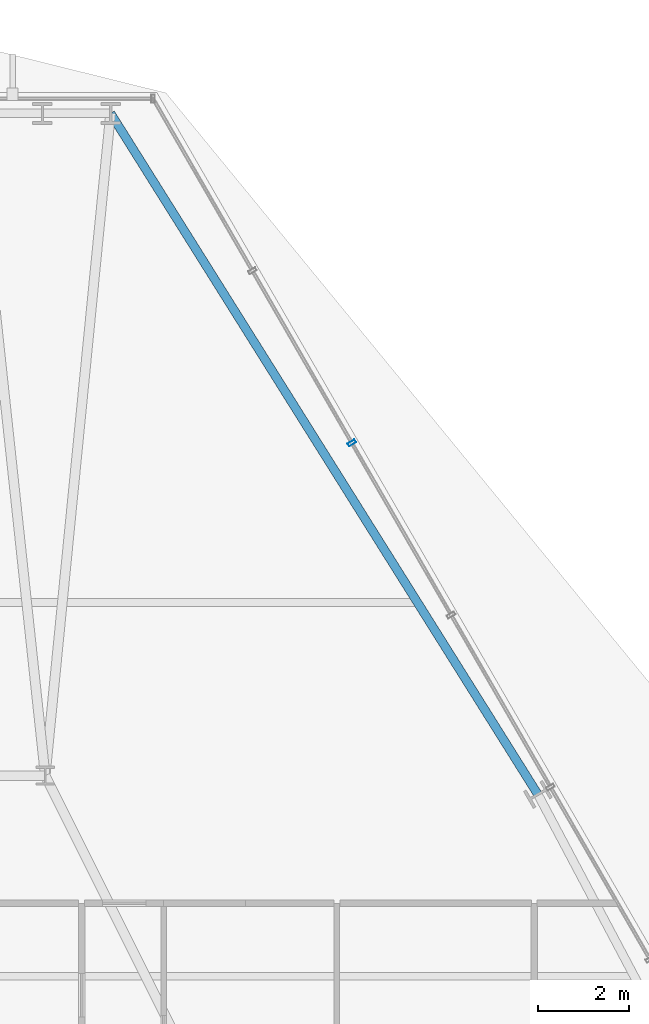
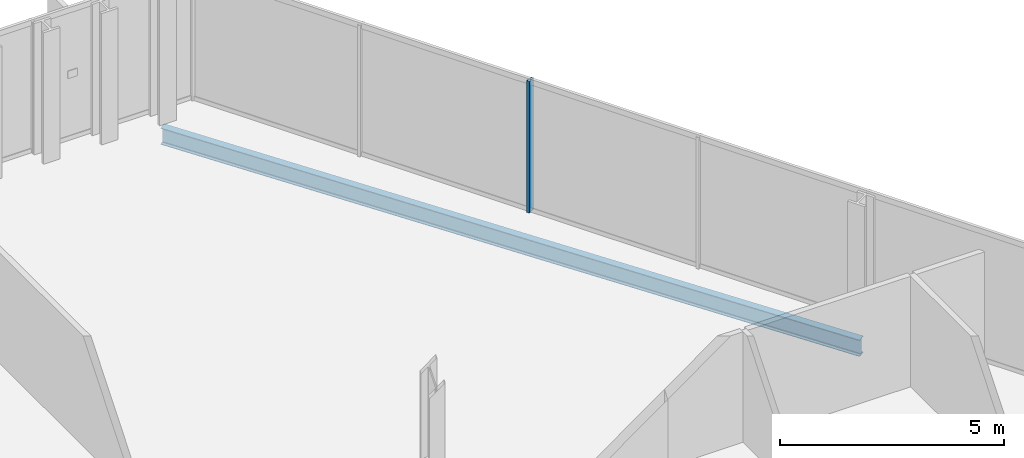
# One storey, part 25 of 36: 1 beam, 1 member, 1 element without a shape of its own.
"""IFC4 building model written with IfcOpenShell, lengths in metres."""

import ifcopenshell
import ifcopenshell.guid

model = None  # the IFC model being written
_history = None  # IfcOwnerHistory: only IFC2X3 demands one
_inside = {}  # id of a spatial element -> (the spatial element, [elements in it])
_under = {}  # id of a project, library or spatial element -> (it, [spatial elements below it])
_declared = {}  # id of a project -> (the project, [libraries it declares])
_typed = {}  # id of a type object -> (the type object, [elements of that type])
_made_of = {}  # id of a material, layer set ... -> (it, [elements and type objects made of it])


def new_model(schema):
    """Start an empty IFC model of exactly this schema.

    Asked for "IFC4X3", IfcOpenShell would pick the latest addendum, in which some entities
    have other attributes; the version numbers below select the first issue.
    IFC2X3 requires an IfcOwnerHistory on every rooted entity: one is made here for all.
    """
    global model, _history
    if schema == "IFC4X3":
        model = ifcopenshell.file(schema_version=(4, 3, 0, 0))
    else:
        model = ifcopenshell.file(schema=schema)
    _inside.clear()
    _under.clear()
    _declared.clear()
    _typed.clear()
    _made_of.clear()
    _history = None
    if model.schema == "IFC2X3":
        org = make("IfcOrganization", Name="unknown")
        user = make(
            "IfcPersonAndOrganization",
            ThePerson=make("IfcPerson", FamilyName="unknown"),
            TheOrganization=org,
        )
        app = make(
            "IfcApplication",
            ApplicationDeveloper=org,
            Version="unknown",
            ApplicationFullName="unknown",
            ApplicationIdentifier="unknown",
        )
        _history = make(
            "IfcOwnerHistory",
            OwningUser=user,
            OwningApplication=app,
            ChangeAction="ADDED",
            CreationDate=0,
        )
    return model


def make(cls, **values):
    """One entity of the class cls with the attributes given. An attribute that is None is left unset."""
    return model.create_entity(
        cls, **{name: value for name, value in values.items() if value is not None}
    )


def rooted(cls, **values):
    """An entity with a GlobalId (a new one), such as an element, a storey or a relation."""
    return make(cls, GlobalId=ifcopenshell.guid.new(), OwnerHistory=_history, **values)


def si_unit(unit_type, name, prefix=None):
    """IfcSIUnit, for example si_unit("LENGTHUNIT", "METRE", prefix="MILLI")."""
    return make("IfcSIUnit", UnitType=unit_type, Prefix=prefix, Name=name)


def assignment(units):
    """IfcUnitAssignment: the units of a project."""
    return None if units is None else make("IfcUnitAssignment", Units=units)


def point(xyz):
    """IfcCartesianPoint."""
    return None if xyz is None else make("IfcCartesianPoint", Coordinates=xyz)


def direction(xyz):
    """IfcDirection."""
    return None if xyz is None else make("IfcDirection", DirectionRatios=xyz)


def frame(location, z_axis=None, x_axis=None):
    """IfcAxis2Placement3D, a coordinate frame: its origin and axes. An axis left out is left unset."""
    return make(
        "IfcAxis2Placement3D",
        Location=point(location),
        Axis=direction(z_axis),
        RefDirection=direction(x_axis),
    )


def frame_2d(location, x_axis=None):
    """IfcAxis2Placement2D, a coordinate frame in the plane: its origin and x axis."""
    return make(
        "IfcAxis2Placement2D", Location=point(location), RefDirection=direction(x_axis)
    )


def origin():
    """The frame at (0, 0, 0) with its axes left unset."""
    return frame((0.0, 0.0, 0.0))


def origin_2d():
    """The frame at (0, 0) in the plane with its x axis left unset."""
    return frame_2d((0.0, 0.0))


def place(relative_to, where):
    """IfcLocalPlacement: puts the frame where relative to a parent placement (None: the world)."""
    return make(
        "IfcLocalPlacement", PlacementRelTo=relative_to, RelativePlacement=where
    )


def context(
    kind, dimensions, precision=None, world=None, true_north=None, identifier=None
):
    """IfcGeometricRepresentationContext, for example the 3D "Model" context."""
    return make(
        "IfcGeometricRepresentationContext",
        ContextIdentifier=identifier,
        ContextType=kind,
        CoordinateSpaceDimension=dimensions,
        Precision=precision,
        WorldCoordinateSystem=world,
        TrueNorth=true_north,
    )


def subcontext(parent, identifier, kind, view, scale=None):
    """IfcGeometricRepresentationSubContext, for example "Body" below "Model"."""
    return make(
        "IfcGeometricRepresentationSubContext",
        ContextIdentifier=identifier,
        ContextType=kind,
        ParentContext=parent,
        TargetScale=scale,
        TargetView=view,
    )


def project(units=None, contexts=None):
    """IfcProject with its units and contexts."""
    return rooted(
        "IfcProject",
        Name="project",
        RepresentationContexts=contexts,
        UnitsInContext=assignment(units),
    )


def spatial(cls, under=None, at=None, **own):
    """A site, building, storey or space (cls), placed at a placement, below another one or the project."""
    s = rooted(cls, ObjectPlacement=at, **own)
    if under is not None:
        _under.setdefault(under.id(), (under, []))[1].append(s)
    return s


def profile(cls, at=None, kind="AREA", **sizes):
    """A parametric profile (cls). Its sizes go by their IFC names, for example OverallWidth=200.0."""
    return make(cls, ProfileType=kind, Position=at, **sizes)


def hollow_rectangle(**sizes):
    """IfcRectangleHollowProfileDef."""
    return profile("IfcRectangleHollowProfileDef", **sizes)


def i_section(**sizes):
    """IfcIShapeProfileDef."""
    return profile("IfcIShapeProfileDef", **sizes)


def extrude(swept, where, along, depth):
    """IfcExtrudedAreaSolid: the profile swept, set in the frame where, extruded along a direction by depth."""
    return make(
        "IfcExtrudedAreaSolid",
        SweptArea=swept,
        Position=where,
        ExtrudedDirection=direction(along),
        Depth=depth,
    )


def shape(context_of_items, identifier, shape_type, items):
    """IfcShapeRepresentation: the items that make up one representation, for example the "Body"."""
    return make(
        "IfcShapeRepresentation",
        ContextOfItems=context_of_items,
        RepresentationIdentifier=identifier,
        RepresentationType=shape_type,
        Items=items,
    )


def material(Name=None, Category=None):
    """IfcMaterial."""
    return make("IfcMaterial", Name=Name, Category=Category)


def layer(
    of_material, thickness, ventilated=None, Name=None, Category=None, Priority=None
):
    """IfcMaterialLayer: one layer of a wall or slab, of a material (None: an air gap)."""
    return make(
        "IfcMaterialLayer",
        Material=of_material,
        LayerThickness=thickness,
        IsVentilated=ventilated,
        Name=Name,
        Category=Category,
        Priority=Priority,
    )


def layer_set(layers, Name=None):
    """IfcMaterialLayerSet."""
    return make("IfcMaterialLayerSet", MaterialLayers=layers, LayerSetName=Name)


def material_profile(
    of_material, cross_section, Name=None, Category=None, Priority=None
):
    """IfcMaterialProfile: a cross section and its material."""
    return make(
        "IfcMaterialProfile",
        Name=Name,
        Material=of_material,
        Profile=cross_section,
        Priority=Priority,
        Category=Category,
    )


def profile_set(profiles, Name=None, composite=None):
    """IfcMaterialProfileSet."""
    return make(
        "IfcMaterialProfileSet",
        Name=Name,
        MaterialProfiles=profiles,
        CompositeProfile=composite,
    )


def made_of(thing, what):
    """Note that an element or type object is made of a material, layer set ...; save() writes the relation."""
    if what is not None:
        _made_of.setdefault(what.id(), (what, []))[1].append(thing)
    return thing


def type_object(cls, material=None, **own):
    """A type object (cls), such as IfcWallType, which elements share."""
    return made_of(rooted(cls, **own), material)


def element(
    cls,
    number,
    at=None,
    inside=None,
    cuts=None,
    type_object=None,
    material=None,
    context=None,
    identifier="Body",
    shape_type=None,
    held_by="IfcProductDefinitionShape",
    body=None,
    shapes=None,
    **own,
):
    """One element of the class cls, such as IfcWall. Its Tag is "e" and its number.

    at: its placement. inside: the storey or other place that contains it. cuts: it is an
    opening in that element (IfcRelVoidsElement). A single representation is given by context,
    identifier, shape_type and body (its items); several are given by shapes. held_by: the class
    of the entity that holds the representations. save() writes the other relations.
    """
    e = rooted(cls, Tag="e%d" % number, ObjectPlacement=at, **own)
    if body is not None:
        shapes = [shape(context, identifier, shape_type, body)]
    if shapes is not None:
        e.Representation = make(held_by, Representations=shapes)
    if inside is not None:
        _inside.setdefault(inside.id(), (inside, []))[1].append(e)
    if cuts is not None:
        rooted(
            "IfcRelVoidsElement", RelatingBuildingElement=cuts, RelatedOpeningElement=e
        )
    if type_object is not None:
        _typed.setdefault(type_object.id(), (type_object, []))[1].append(e)
    return made_of(e, material)


def aggregate(whole, parts):
    """IfcRelAggregates: a whole, such as a stair, and the parts it consists of."""
    return rooted("IfcRelAggregates", RelatingObject=whole, RelatedObjects=parts)


def save(model, path):
    """Write the relations noted so far, then the file.

    IfcRelAggregates (storeys below a building ...), IfcRelContainedInSpatialStructure (elements
    in a storey), IfcRelDefinesByType, IfcRelAssociatesMaterial and IfcRelDeclares: one each for
    every whole, place, type object, material and project.
    """
    for whole, parts in _under.values():
        aggregate(whole, parts)
    for where, things in _inside.values():
        rooted(
            "IfcRelContainedInSpatialStructure",
            RelatedElements=things,
            RelatingStructure=where,
        )
    for kind, things in _typed.values():
        rooted("IfcRelDefinesByType", RelatedObjects=things, RelatingType=kind)
    for what, things in _made_of.values():
        rooted("IfcRelAssociatesMaterial", RelatedObjects=things, RelatingMaterial=what)
    for by, libraries in _declared.values():
        rooted("IfcRelDeclares", RelatingContext=by, RelatedDefinitions=libraries)
    model.write(path)


model = new_model("IFC4")

# Units and contexts
model_context = context("Model", 3, precision=1e-05, world=origin(), true_north=direction((0.0, 1.0)))
body_context = subcontext(model_context, "Body", "Model", "MODEL_VIEW")
ifc_project = project(units=[si_unit("LENGTHUNIT", "METRE"), si_unit("AREAUNIT", "SQUARE_METRE"), si_unit("VOLUMEUNIT", "CUBIC_METRE"), si_unit("PLANEANGLEUNIT", "RADIAN"), si_unit("MASSUNIT", "GRAM", prefix="KILO")], contexts=[model_context])

# Site, building, storey
site_placement = place(None, origin())
site = spatial("IfcSite", under=ifc_project, at=site_placement, CompositionType="ELEMENT")
building_placement = place(site_placement, origin())
building = spatial("IfcBuilding", under=site, at=building_placement, Name="Ndaravel Arena Tower", CompositionType="ELEMENT")
storey_placement = place(building_placement, frame((0.0, 0.0, 127.0)))
storey = spatial("IfcBuildingStorey", under=building, at=storey_placement, Name="L29", CompositionType="ELEMENT", Elevation=127.0)

# Beam
ifc_material_1 = material(Name="Steel S355", Category="steel")
ifc_material_profile_1 = material_profile(ifc_material_1, i_section(OverallWidth=0.18994140625, OverallDepth=0.449951171875, WebThickness=0.009521484375, FlangeThickness=0.0146484375, FilletRadius=0.02099609375, at=origin_2d()), Name="IPE 450")
ifc_profile_set_1 = profile_set([ifc_material_profile_1], Name="Steel S355")
beam_type = type_object("IfcBeamType", Name="BM-SPAN-IPE450", PredefinedType="SPANDREL", material=ifc_profile_set_1)
beam_placement = place(storey_placement, frame((56.61181640625, 30.78857421875, -0.445068359375), z_axis=(-0.531434619656, 0.847099312378, 0.0), x_axis=(-0.847099312378, -0.531434619656, 0.0)))
element("IfcBeam", 1, at=beam_placement, inside=storey, type_object=beam_type, Name="L29 Perimeter Spandrel Beam SP-10", PredefinedType="SPANDREL", context=body_context, shape_type="SweptSolid", body=[
    extrude(i_section(OverallWidth=0.18994140625, OverallDepth=0.449951171875, WebThickness=0.009521484375, FlangeThickness=0.0146484375, FilletRadius=0.02099609375, at=origin_2d()), origin(), (0.0, 0.0, 1.0), 17.6455078125),
])

# Curtain wall, member
ifc_material_2 = material(Name="Aluminium", Category="aluminium")
ifc_layer = layer(ifc_material_2, 0.179931640625)
ifc_layer_set = layer_set([ifc_layer], Name="Aluminium")
curtain_wall_type = type_object("IfcCurtainWallType", Name="CW-SYS-03", PredefinedType="NOTDEFINED", material=ifc_layer_set)
curtain_wall_placement = place(storey_placement, origin())
curtain_wall = element("IfcCurtainWall", 2, at=curtain_wall_placement, inside=storey, type_object=curtain_wall_type, Name="L29 Faceted Crystal Curtain Wall CW-L29-E03", PredefinedType="NOTDEFINED")
ifc_material_3 = material(Name="Aluminium", Category="aluminium")
ifc_material_profile_2 = material_profile(ifc_material_3, hollow_rectangle(XDim=0.074951171875, YDim=0.179931640625, WallThickness=0.00390625, at=origin_2d()), Name="CW MULLION 75x180x4")
ifc_profile_set_2 = profile_set([ifc_material_profile_2], Name="Aluminium")
member_type = type_object("IfcMemberType", Name="MEM-CW-MUL180", PredefinedType="MULLION", material=ifc_profile_set_2)
member_placement = place(storey_placement, frame((52.52783203125, 38.502197265625, 0.0), z_axis=(0.0, 0.0, 1.0), x_axis=(-0.5, 0.866025403784, 0.0)))
member = element("IfcMember", 3, at=member_placement, type_object=member_type, Name="CW-L29-E03 Mullion 06", PredefinedType="MULLION", context=body_context, shape_type="SweptSolid", body=[
    extrude(hollow_rectangle(XDim=0.074951171875, YDim=0.179931640625, WallThickness=0.00390625, at=origin_2d()), origin(), (0.0, 0.0, 1.0), 3.580078125),
])
aggregate(curtain_wall, [member])

save(model, "model.ifc")
